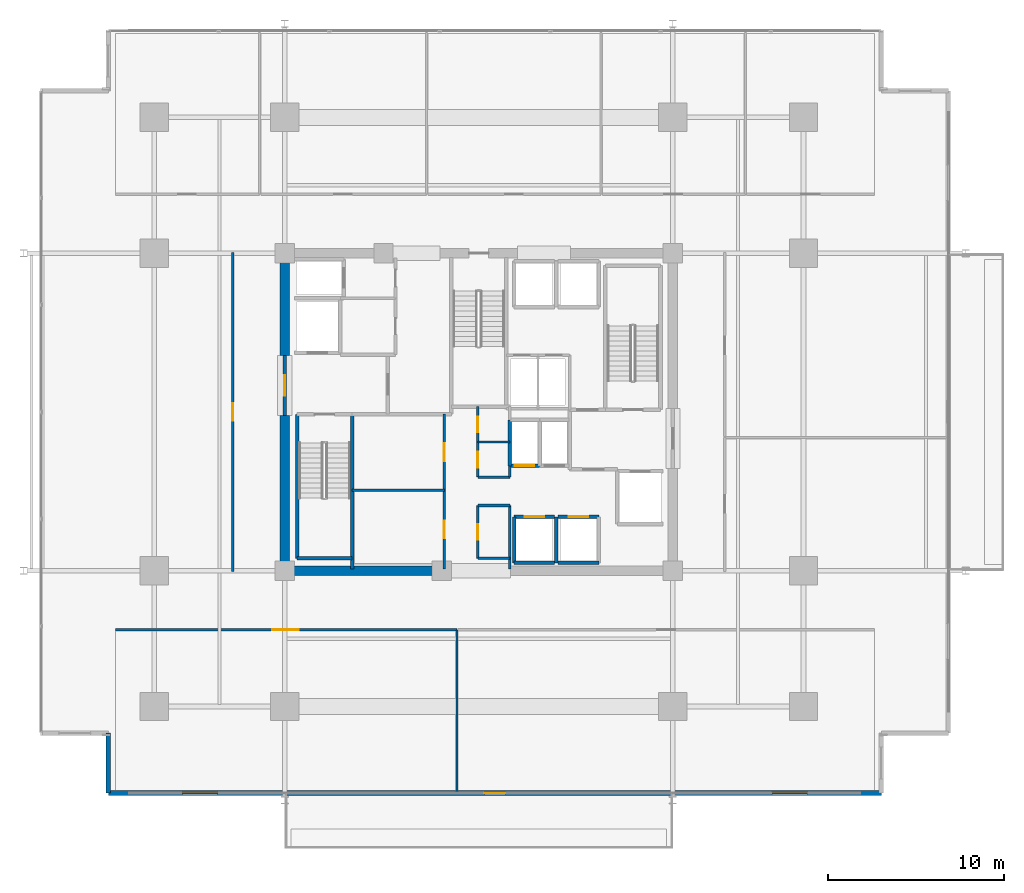
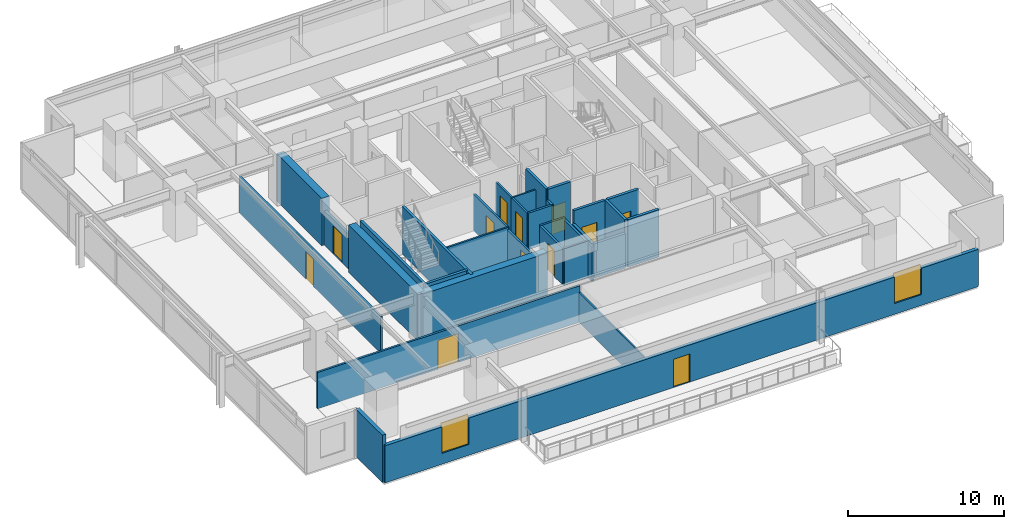
# One storey, part 14 of 22: 32 walls, 12 doors, 2 windows, 14 openings.
"""IFC4 building model written with IfcOpenShell, lengths in metres."""

import ifcopenshell
import ifcopenshell.guid

model = None  # the IFC model being written
_history = None  # IfcOwnerHistory: only IFC2X3 demands one
_inside = {}  # id of a spatial element -> (the spatial element, [elements in it])
_under = {}  # id of a project, library or spatial element -> (it, [spatial elements below it])
_declared = {}  # id of a project -> (the project, [libraries it declares])
_typed = {}  # id of a type object -> (the type object, [elements of that type])
_made_of = {}  # id of a material, layer set ... -> (it, [elements and type objects made of it])


def new_model(schema):
    """Start an empty IFC model of exactly this schema.

    Asked for "IFC4X3", IfcOpenShell would pick the latest addendum, in which some entities
    have other attributes; the version numbers below select the first issue.
    IFC2X3 requires an IfcOwnerHistory on every rooted entity: one is made here for all.
    """
    global model, _history
    if schema == "IFC4X3":
        model = ifcopenshell.file(schema_version=(4, 3, 0, 0))
    else:
        model = ifcopenshell.file(schema=schema)
    _inside.clear()
    _under.clear()
    _declared.clear()
    _typed.clear()
    _made_of.clear()
    _history = None
    if model.schema == "IFC2X3":
        org = make("IfcOrganization", Name="unknown")
        user = make(
            "IfcPersonAndOrganization",
            ThePerson=make("IfcPerson", FamilyName="unknown"),
            TheOrganization=org,
        )
        app = make(
            "IfcApplication",
            ApplicationDeveloper=org,
            Version="unknown",
            ApplicationFullName="unknown",
            ApplicationIdentifier="unknown",
        )
        _history = make(
            "IfcOwnerHistory",
            OwningUser=user,
            OwningApplication=app,
            ChangeAction="ADDED",
            CreationDate=0,
        )
    return model


def make(cls, **values):
    """One entity of the class cls with the attributes given. An attribute that is None is left unset."""
    return model.create_entity(
        cls, **{name: value for name, value in values.items() if value is not None}
    )


def rooted(cls, **values):
    """An entity with a GlobalId (a new one), such as an element, a storey or a relation."""
    return make(cls, GlobalId=ifcopenshell.guid.new(), OwnerHistory=_history, **values)


def si_unit(unit_type, name, prefix=None):
    """IfcSIUnit, for example si_unit("LENGTHUNIT", "METRE", prefix="MILLI")."""
    return make("IfcSIUnit", UnitType=unit_type, Prefix=prefix, Name=name)


def assignment(units):
    """IfcUnitAssignment: the units of a project."""
    return None if units is None else make("IfcUnitAssignment", Units=units)


def point(xyz):
    """IfcCartesianPoint."""
    return None if xyz is None else make("IfcCartesianPoint", Coordinates=xyz)


def direction(xyz):
    """IfcDirection."""
    return None if xyz is None else make("IfcDirection", DirectionRatios=xyz)


def frame(location, z_axis=None, x_axis=None):
    """IfcAxis2Placement3D, a coordinate frame: its origin and axes. An axis left out is left unset."""
    return make(
        "IfcAxis2Placement3D",
        Location=point(location),
        Axis=direction(z_axis),
        RefDirection=direction(x_axis),
    )


def frame_2d(location, x_axis=None):
    """IfcAxis2Placement2D, a coordinate frame in the plane: its origin and x axis."""
    return make(
        "IfcAxis2Placement2D", Location=point(location), RefDirection=direction(x_axis)
    )


def origin():
    """The frame at (0, 0, 0) with its axes left unset."""
    return frame((0.0, 0.0, 0.0))


def place(relative_to, where):
    """IfcLocalPlacement: puts the frame where relative to a parent placement (None: the world)."""
    return make(
        "IfcLocalPlacement", PlacementRelTo=relative_to, RelativePlacement=where
    )


def context(
    kind, dimensions, precision=None, world=None, true_north=None, identifier=None
):
    """IfcGeometricRepresentationContext, for example the 3D "Model" context."""
    return make(
        "IfcGeometricRepresentationContext",
        ContextIdentifier=identifier,
        ContextType=kind,
        CoordinateSpaceDimension=dimensions,
        Precision=precision,
        WorldCoordinateSystem=world,
        TrueNorth=true_north,
    )


def subcontext(parent, identifier, kind, view, scale=None):
    """IfcGeometricRepresentationSubContext, for example "Body" below "Model"."""
    return make(
        "IfcGeometricRepresentationSubContext",
        ContextIdentifier=identifier,
        ContextType=kind,
        ParentContext=parent,
        TargetScale=scale,
        TargetView=view,
    )


def project(units=None, contexts=None):
    """IfcProject with its units and contexts."""
    return rooted(
        "IfcProject",
        Name="project",
        RepresentationContexts=contexts,
        UnitsInContext=assignment(units),
    )


def spatial(cls, under=None, at=None, **own):
    """A site, building, storey or space (cls), placed at a placement, below another one or the project."""
    s = rooted(cls, ObjectPlacement=at, **own)
    if under is not None:
        _under.setdefault(under.id(), (under, []))[1].append(s)
    return s


def profile(cls, at=None, kind="AREA", **sizes):
    """A parametric profile (cls). Its sizes go by their IFC names, for example OverallWidth=200.0."""
    return make(cls, ProfileType=kind, Position=at, **sizes)


def rectangle(**sizes):
    """IfcRectangleProfileDef."""
    return profile("IfcRectangleProfileDef", **sizes)


def extrude(swept, where, along, depth):
    """IfcExtrudedAreaSolid: the profile swept, set in the frame where, extruded along a direction by depth."""
    return make(
        "IfcExtrudedAreaSolid",
        SweptArea=swept,
        Position=where,
        ExtrudedDirection=direction(along),
        Depth=depth,
    )


def shape(context_of_items, identifier, shape_type, items):
    """IfcShapeRepresentation: the items that make up one representation, for example the "Body"."""
    return make(
        "IfcShapeRepresentation",
        ContextOfItems=context_of_items,
        RepresentationIdentifier=identifier,
        RepresentationType=shape_type,
        Items=items,
    )


def material(Name=None, Category=None):
    """IfcMaterial."""
    return make("IfcMaterial", Name=Name, Category=Category)


def layer(
    of_material, thickness, ventilated=None, Name=None, Category=None, Priority=None
):
    """IfcMaterialLayer: one layer of a wall or slab, of a material (None: an air gap)."""
    return make(
        "IfcMaterialLayer",
        Material=of_material,
        LayerThickness=thickness,
        IsVentilated=ventilated,
        Name=Name,
        Category=Category,
        Priority=Priority,
    )


def layer_set(layers, Name=None):
    """IfcMaterialLayerSet."""
    return make("IfcMaterialLayerSet", MaterialLayers=layers, LayerSetName=Name)


def made_of(thing, what):
    """Note that an element or type object is made of a material, layer set ...; save() writes the relation."""
    if what is not None:
        _made_of.setdefault(what.id(), (what, []))[1].append(thing)
    return thing


def type_object(cls, material=None, **own):
    """A type object (cls), such as IfcWallType, which elements share."""
    return made_of(rooted(cls, **own), material)


def element(
    cls,
    number,
    at=None,
    inside=None,
    cuts=None,
    type_object=None,
    material=None,
    context=None,
    identifier="Body",
    shape_type=None,
    held_by="IfcProductDefinitionShape",
    body=None,
    shapes=None,
    **own,
):
    """One element of the class cls, such as IfcWall. Its Tag is "e" and its number.

    at: its placement. inside: the storey or other place that contains it. cuts: it is an
    opening in that element (IfcRelVoidsElement). A single representation is given by context,
    identifier, shape_type and body (its items); several are given by shapes. held_by: the class
    of the entity that holds the representations. save() writes the other relations.
    """
    e = rooted(cls, Tag="e%d" % number, ObjectPlacement=at, **own)
    if body is not None:
        shapes = [shape(context, identifier, shape_type, body)]
    if shapes is not None:
        e.Representation = make(held_by, Representations=shapes)
    if inside is not None:
        _inside.setdefault(inside.id(), (inside, []))[1].append(e)
    if cuts is not None:
        rooted(
            "IfcRelVoidsElement", RelatingBuildingElement=cuts, RelatedOpeningElement=e
        )
    if type_object is not None:
        _typed.setdefault(type_object.id(), (type_object, []))[1].append(e)
    return made_of(e, material)


def fill(opening, filler):
    """IfcRelFillsElement: the door or window that sits in an opening."""
    return rooted(
        "IfcRelFillsElement",
        RelatingOpeningElement=opening,
        RelatedBuildingElement=filler,
    )


def aggregate(whole, parts):
    """IfcRelAggregates: a whole, such as a stair, and the parts it consists of."""
    return rooted("IfcRelAggregates", RelatingObject=whole, RelatedObjects=parts)


def save(model, path):
    """Write the relations noted so far, then the file.

    IfcRelAggregates (storeys below a building ...), IfcRelContainedInSpatialStructure (elements
    in a storey), IfcRelDefinesByType, IfcRelAssociatesMaterial and IfcRelDeclares: one each for
    every whole, place, type object, material and project.
    """
    for whole, parts in _under.values():
        aggregate(whole, parts)
    for where, things in _inside.values():
        rooted(
            "IfcRelContainedInSpatialStructure",
            RelatedElements=things,
            RelatingStructure=where,
        )
    for kind, things in _typed.values():
        rooted("IfcRelDefinesByType", RelatedObjects=things, RelatingType=kind)
    for what, things in _made_of.values():
        rooted("IfcRelAssociatesMaterial", RelatedObjects=things, RelatingMaterial=what)
    for by, libraries in _declared.values():
        rooted("IfcRelDeclares", RelatingContext=by, RelatedDefinitions=libraries)
    model.write(path)


model = new_model("IFC4")

# Units and contexts
model_context = context("Model", 3, precision=1e-05, world=origin(), true_north=direction((0.0, 1.0)))
body_context = subcontext(model_context, "Body", "Model", "MODEL_VIEW")
ifc_project = project(units=[si_unit("LENGTHUNIT", "METRE"), si_unit("AREAUNIT", "SQUARE_METRE"), si_unit("VOLUMEUNIT", "CUBIC_METRE"), si_unit("PLANEANGLEUNIT", "RADIAN"), si_unit("MASSUNIT", "GRAM", prefix="KILO")], contexts=[model_context])

# Site, building, storey
site_placement = place(None, origin())
site = spatial("IfcSite", under=ifc_project, at=site_placement, CompositionType="ELEMENT")
building_placement = place(site_placement, origin())
building = spatial("IfcBuilding", under=site, at=building_placement, Name="Kovane Verandah Tower", CompositionType="ELEMENT")
storey_placement = place(building_placement, frame((0.0, 0.0, 180.39990234375)))
storey = spatial("IfcBuildingStorey", under=building, at=storey_placement, Name="L42", CompositionType="ELEMENT", Elevation=180.39990234375)

# Walls
ifc_material_1 = material(Name="Fire-Rated Gypsum Stud Partition", Category="gypsum")
ifc_layer_1 = layer(ifc_material_1, 0.14990234375)
ifc_layer_set_1 = layer_set([ifc_layer_1], Name="Fire-Rated Gypsum Stud Partition")
wall_type_1 = type_object("IfcWallType", Name="WL-COR-150", PredefinedType="PARTITIONING", material=ifc_layer_set_1)
for number, where, z_axis, x_axis, name in (
    (1, (39.949951171875, 19.199951171875, 0.0), (0.0, 0.0, 1.0), (1.0, 0.0, 0.0), "L42 Central Core Strip South Wall"),
    (2, (39.949951171875, 22.199951171875, 0.0), (0.0, 0.0, 1.0), (1.0, 0.0, 0.0), "L42 Core Cross-Passage South Wall"),
    (3, (39.949951171875, 23.800048828125, 0.0), (0.0, 0.0, 1.0), (1.0, 0.0, 0.0), "L42 Core Cross-Passage North Wall"),
):
    element("IfcWall", number, at=place(storey_placement, frame(where, z_axis=z_axis, x_axis=x_axis)), inside=storey, type_object=wall_type_1, Name=name, PredefinedType="PARTITIONING", context=body_context, shape_type="SweptSolid", body=[
        extrude(rectangle(XDim=1.81005859375, YDim=0.14990234375, at=frame_2d((0.905029296875, 0.0))), origin(), (0.0, 0.0, 1.0), 2.85009765625),
    ])
wall_1_placement = place(storey_placement, frame((41.760009765625, 18.60009765625, 0.0), z_axis=(0.0, 0.0, 1.0), x_axis=(0.0, 1.0, 0.0)))
element("IfcWall", 4, at=wall_1_placement, inside=storey, type_object=wall_type_1, Name="L42 Central Core Strip Lower East Wall", PredefinedType="PARTITIONING", context=body_context, shape_type="SweptSolid", body=[
    extrude(rectangle(XDim=3.599853515625, YDim=0.14990234375, at=frame_2d((1.7998046875, 0.0))), origin(), (0.0, 0.0, 1.0), 2.68017578125),
])
wall_2_placement = place(storey_placement, frame((41.760009765625, 23.800048828125, 0.0), z_axis=(0.0, 0.0, 1.0), x_axis=(0.0, 1.0, 0.0)))
element("IfcWall", 5, at=wall_2_placement, inside=storey, type_object=wall_type_1, Name="L42 Central Core Strip Middle East Wall", PredefinedType="PARTITIONING", context=body_context, shape_type="SweptSolid", body=[
    extrude(rectangle(XDim=0.64990234375, YDim=0.14990234375, at=frame_2d((0.324951171875, 0.0))), origin(), (0.0, 0.0, 1.0), 2.85009765625),
])

# Wall, opening, door
wall_3_placement = place(storey_placement, frame((39.949951171875, 19.199951171875, 0.0), z_axis=(0.0, 0.0, 1.0), x_axis=(0.0, 1.0, 0.0)))
wall_3 = element("IfcWall", 6, at=wall_3_placement, inside=storey, type_object=wall_type_1, Name="L42 Male Toilet Partition", PredefinedType="PARTITIONING", context=body_context, shape_type="SweptSolid", body=[
    extrude(rectangle(XDim=3.0, YDim=0.14990234375, at=frame_2d((1.5, 0.0))), origin(), (0.0, 0.0, 1.0), 2.85009765625),
])
opening_1_placement = place(wall_3_placement, frame((1.050048828125, 0.0, 0.0)))
opening_1 = element("IfcOpeningElement", 7, at=opening_1_placement, cuts=wall_3, Name="Opening DR-L42-028", PredefinedType="OPENING", context=body_context, shape_type="SweptSolid", body=[
    extrude(rectangle(XDim=0.89990234375, YDim=2.10009765625, at=frame_2d((0.449951171875, 1.050048828125))), frame((0.0, 0.074951171875, 0.0), z_axis=(0.0, -1.0, 0.0), x_axis=(1.0, 0.0, 0.0)), (0.0, 0.0, 1.0), 0.14990234375),
])
ifc_material_2 = material(Name="Moisture-Resistant Laminate Washroom Door", Category="wood")
door_type_1 = type_object("IfcDoorType", Name="DR-WC-900", OperationType="SINGLE_SWING_LEFT", PredefinedType="DOOR", material=ifc_material_2)
door_1_placement = place(opening_1_placement, origin())
door_1 = element("IfcDoor", 8, at=door_1_placement, inside=storey, type_object=door_type_1, Name="L42 Male Toilet Door", OperationType="SINGLE_SWING_RIGHT", OverallHeight=2.10009765625, OverallWidth=0.89990234375, PredefinedType="DOOR", context=body_context, shape_type="SweptSolid", body=[
    extrude(rectangle(XDim=0.89990234375, YDim=2.10009765625, at=frame_2d((0.449951171875, 1.050048828125))), frame((0.0, 0.02490234375, 0.0), z_axis=(0.0, -1.0, 0.0), x_axis=(1.0, 0.0, 0.0)), (0.0, 0.0, 1.0), 0.050048828125),
])
fill(opening_1, door_1)

wall_4_placement = place(storey_placement, frame((39.949951171875, 23.800048828125, 0.0), z_axis=(0.0, 0.0, 1.0), x_axis=(0.0, 1.0, 0.0)))
wall_4 = element("IfcWall", 9, at=wall_4_placement, inside=storey, type_object=wall_type_1, Name="L42 Female Toilet Partition", PredefinedType="PARTITIONING", context=body_context, shape_type="SweptSolid", body=[
    extrude(rectangle(XDim=2.0, YDim=0.14990234375, at=frame_2d((1.0, 0.0))), origin(), (0.0, 0.0, 1.0), 2.85009765625),
])
opening_2_placement = place(wall_4_placement, frame((0.550048828125, 0.0, 0.0)))
opening_2 = element("IfcOpeningElement", 10, at=opening_2_placement, cuts=wall_4, Name="Opening DR-L42-027", PredefinedType="OPENING", context=body_context, shape_type="SweptSolid", body=[
    extrude(rectangle(XDim=0.89990234375, YDim=2.10009765625, at=frame_2d((0.449951171875, 1.050048828125))), frame((0.0, 0.074951171875, 0.0), z_axis=(0.0, -1.0, 0.0), x_axis=(1.0, 0.0, 0.0)), (0.0, 0.0, 1.0), 0.14990234375),
])
door_2_placement = place(opening_2_placement, origin())
door_2 = element("IfcDoor", 11, at=door_2_placement, inside=storey, type_object=door_type_1, Name="L42 Female Toilet Door", OperationType="SINGLE_SWING_LEFT", OverallHeight=2.10009765625, OverallWidth=0.89990234375, PredefinedType="DOOR", context=body_context, shape_type="SweptSolid", body=[
    extrude(rectangle(XDim=0.89990234375, YDim=2.10009765625, at=frame_2d((0.449951171875, 1.050048828125))), frame((0.0, 0.02490234375, 0.0), z_axis=(0.0, -1.0, 0.0), x_axis=(1.0, 0.0, 0.0)), (0.0, 0.0, 1.0), 0.050048828125),
])
fill(opening_2, door_2)

wall_5_placement = place(storey_placement, frame((39.949951171875, 25.800048828125, 0.0), z_axis=(0.0, 0.0, 1.0), x_axis=(0.0, 1.0, 0.0)))
wall_5 = element("IfcWall", 12, at=wall_5_placement, inside=storey, type_object=wall_type_1, Name="L42 Electrical Riser Room Partition", PredefinedType="PARTITIONING", context=body_context, shape_type="SweptSolid", body=[
    extrude(rectangle(XDim=2.0, YDim=0.14990234375, at=frame_2d((1.0, 0.0))), origin(), (0.0, 0.0, 1.0), 2.85009765625),
])
opening_3_placement = place(wall_5_placement, frame((0.56005859375, 0.0, 0.0)))
opening_3 = element("IfcOpeningElement", 13, at=opening_3_placement, cuts=wall_5, Name="Opening DR-L42-025", PredefinedType="OPENING", context=body_context, shape_type="SweptSolid", body=[
    extrude(rectangle(XDim=0.8798828125, YDim=2.10009765625, at=frame_2d((0.43994140625, 1.050048828125))), frame((0.0, 0.074951171875, 0.0), z_axis=(0.0, -1.0, 0.0), x_axis=(1.0, 0.0, 0.0)), (0.0, 0.0, 1.0), 0.14990234375),
])
ifc_material_3 = material(Name="Fire-Rated Steel Riser Access Door", Category="steel")
door_type_2 = type_object("IfcDoorType", Name="DR-RISER-880", OperationType="SINGLE_SWING_LEFT", PredefinedType="DOOR", material=ifc_material_3)
door_3_placement = place(opening_3_placement, origin())
door_3 = element("IfcDoor", 14, at=door_3_placement, inside=storey, type_object=door_type_2, Name="L42 Electrical Riser Room Door", OperationType="SINGLE_SWING_RIGHT", OverallHeight=2.10009765625, OverallWidth=0.8798828125, PredefinedType="DOOR", context=body_context, shape_type="SweptSolid", body=[
    extrude(rectangle(XDim=0.8798828125, YDim=2.10009765625, at=frame_2d((0.43994140625, 1.050048828125))), frame((0.0, 0.02490234375, 0.0), z_axis=(0.0, -1.0, 0.0), x_axis=(1.0, 0.0, 0.0)), (0.0, 0.0, 1.0), 0.050048828125),
])
fill(opening_3, door_3)

wall_6_placement = place(storey_placement, frame((38.050048828125, 18.60009765625, 0.0), z_axis=(0.0, 0.0, 1.0), x_axis=(0.0, 1.0, 0.0)))
wall_6 = element("IfcWall", 15, at=wall_6_placement, inside=storey, type_object=wall_type_1, Name="L42 IT Server Room Partition", PredefinedType="PARTITIONING", context=body_context, shape_type="SweptSolid", body=[
    extrude(rectangle(XDim=4.4599609375, YDim=0.14990234375, at=frame_2d((2.22998046875, 0.0))), origin(), (0.0, 0.0, 1.0), 2.68017578125),
])
opening_4_placement = place(wall_6_placement, frame((1.72998046875, 0.0, 0.0)))
opening_4 = element("IfcOpeningElement", 16, at=opening_4_placement, cuts=wall_6, Name="Opening DR-L42-014", PredefinedType="OPENING", context=body_context, shape_type="SweptSolid", body=[
    extrude(rectangle(XDim=1.0, YDim=2.14990234375, at=frame_2d((0.5, 1.074951171875))), frame((0.0, 0.074951171875, 0.0), z_axis=(0.0, -1.0, 0.0), x_axis=(1.0, 0.0, 0.0)), (0.0, 0.0, 1.0), 0.14990234375),
])
ifc_material_4 = material(Name="FSC Spotted-Gum Timber Fire-Rated Office Door", Category="wood")
door_type_3 = type_object("IfcDoorType", Name="DR-OFF-1000", OperationType="SINGLE_SWING_LEFT", PredefinedType="DOOR", material=ifc_material_4)
door_4_placement = place(opening_4_placement, origin())
door_4 = element("IfcDoor", 17, at=door_4_placement, inside=storey, type_object=door_type_3, Name="L42 IT Server Room Door", OperationType="SINGLE_SWING_LEFT", OverallHeight=2.14990234375, OverallWidth=1.0, PredefinedType="DOOR", context=body_context, shape_type="SweptSolid", body=[
    extrude(rectangle(XDim=1.0, YDim=2.14990234375, at=frame_2d((0.5, 1.074951171875))), frame((0.0, 0.02490234375, 0.0), z_axis=(0.0, -1.0, 0.0), x_axis=(1.0, 0.0, 0.0)), (0.0, 0.0, 1.0), 0.050048828125),
])
fill(opening_4, door_4)

wall_7_placement = place(storey_placement, frame((38.050048828125, 23.06005859375, 0.0), z_axis=(0.0, 0.0, 1.0), x_axis=(0.0, 1.0, 0.0)))
wall_7 = element("IfcWall", 18, at=wall_7_placement, inside=storey, type_object=wall_type_1, Name="L42 Telecom MDF Room Partition", PredefinedType="PARTITIONING", context=body_context, shape_type="SweptSolid", body=[
    extrude(rectangle(XDim=4.31982421875, YDim=0.14990234375, at=frame_2d((2.159912109375, 0.0))), origin(), (0.0, 0.0, 1.0), 2.85009765625),
])
opening_5_placement = place(wall_7_placement, frame((1.659912109375, 0.0, 0.0)))
opening_5 = element("IfcOpeningElement", 19, at=opening_5_placement, cuts=wall_7, Name="Opening DR-L42-015", PredefinedType="OPENING", context=body_context, shape_type="SweptSolid", body=[
    extrude(rectangle(XDim=1.0, YDim=2.14990234375, at=frame_2d((0.5, 1.074951171875))), frame((0.0, 0.074951171875, 0.0), z_axis=(0.0, -1.0, 0.0), x_axis=(1.0, 0.0, 0.0)), (0.0, 0.0, 1.0), 0.14990234375),
])
door_5_placement = place(opening_5_placement, origin())
door_5 = element("IfcDoor", 20, at=door_5_placement, inside=storey, type_object=door_type_3, Name="L42 Telecom MDF Room Door", OperationType="SINGLE_SWING_RIGHT", OverallHeight=2.14990234375, OverallWidth=1.0, PredefinedType="DOOR", context=body_context, shape_type="SweptSolid", body=[
    extrude(rectangle(XDim=1.0, YDim=2.14990234375, at=frame_2d((0.5, 1.074951171875))), frame((0.0, 0.02490234375, 0.0), z_axis=(0.0, -1.0, 0.0), x_axis=(1.0, 0.0, 0.0)), (0.0, 0.0, 1.0), 0.050048828125),
])
fill(opening_5, door_5)

wall_8_placement = place(storey_placement, frame((19.39990234375, 15.14990234375, 0.0), z_axis=(0.0, 0.0, 1.0), x_axis=(1.0, 0.0, 0.0)))
wall_8 = element("IfcWall", 21, at=wall_8_placement, inside=storey, type_object=wall_type_1, Name="L42 Client Boardroom S1 Corridor Partition", PredefinedType="PARTITIONING", context=body_context, shape_type="SweptSolid", body=[
    extrude(rectangle(XDim=19.359130859375, YDim=0.14990234375, at=frame_2d((9.6796875, 0.0))), origin(), (0.0, 0.0, 1.0), 2.85009765625),
])
opening_6_placement = place(wall_8_placement, frame((8.89453125, 0.0, 0.0)))
opening_6 = element("IfcOpeningElement", 22, at=opening_6_placement, cuts=wall_8, Name="Opening DR-L42-023", PredefinedType="OPENING", context=body_context, shape_type="SweptSolid", body=[
    extrude(rectangle(XDim=1.5, YDim=2.25, at=frame_2d((0.75, 1.125))), frame((0.0, 0.074951171875, 0.0), z_axis=(0.0, -1.0, 0.0), x_axis=(1.0, 0.0, 0.0)), (0.0, 0.0, 1.0), 0.14990234375),
])
ifc_material_5 = material(Name="Glazed Timber Fire-Rated Double Door", Category="wood")
door_type_4 = type_object("IfcDoorType", Name="DR-CONF-1500", OperationType="DOUBLE_DOOR_SINGLE_SWING", PredefinedType="DOOR", material=ifc_material_5)
door_6_placement = place(opening_6_placement, origin())
door_6 = element("IfcDoor", 23, at=door_6_placement, inside=storey, type_object=door_type_4, Name="L42 Client Boardroom S1 Entrance Door", OperationType="DOUBLE_DOOR_SINGLE_SWING", OverallHeight=2.25, OverallWidth=1.5, PredefinedType="DOOR", context=body_context, shape_type="SweptSolid", body=[
    extrude(rectangle(XDim=1.5, YDim=2.25, at=frame_2d((0.75, 1.125))), frame((0.0, 0.02490234375, 0.0), z_axis=(0.0, -1.0, 0.0), x_axis=(1.0, 0.0, 0.0)), (0.0, 0.0, 1.0), 0.050048828125),
])
fill(opening_6, door_6)

wall_9_placement = place(storey_placement, frame((26.050048828125, 18.449951171875, 0.0), z_axis=(0.0, 0.0, 1.0), x_axis=(0.0, 1.0, 0.0)))
wall_9 = element("IfcWall", 24, at=wall_9_placement, inside=storey, type_object=wall_type_1, Name="L42 Focus Studio W1 Corridor Partition", PredefinedType="PARTITIONING", context=body_context, shape_type="SweptSolid", body=[
    extrude(rectangle(XDim=18.10009765625, YDim=0.14990234375, at=frame_2d((9.050048828125, 0.0))), origin(), (0.0, 0.0, 1.0), 2.85009765625),
])
opening_7_placement = place(wall_9_placement, frame((8.550048828125, 0.0, 0.0)))
opening_7 = element("IfcOpeningElement", 25, at=opening_7_placement, cuts=wall_9, Name="Opening DR-L42-029", PredefinedType="OPENING", context=body_context, shape_type="SweptSolid", body=[
    extrude(rectangle(XDim=1.0, YDim=2.14990234375, at=frame_2d((0.5, 1.074951171875))), frame((0.0, 0.074951171875, 0.0), z_axis=(0.0, -1.0, 0.0), x_axis=(1.0, 0.0, 0.0)), (0.0, 0.0, 1.0), 0.14990234375),
])
door_7_placement = place(opening_7_placement, origin())
door_7 = element("IfcDoor", 26, at=door_7_placement, inside=storey, type_object=door_type_3, Name="L42 Focus Studio W1 Entrance Door", OperationType="SINGLE_SWING_RIGHT", OverallHeight=2.14990234375, OverallWidth=1.0, PredefinedType="DOOR", context=body_context, shape_type="SweptSolid", body=[
    extrude(rectangle(XDim=1.0, YDim=2.14990234375, at=frame_2d((0.5, 1.074951171875))), frame((0.0, 0.02490234375, 0.0), z_axis=(0.0, -1.0, 0.0), x_axis=(1.0, 0.0, 0.0)), (0.0, 0.0, 1.0), 0.050048828125),
])
fill(opening_7, door_7)

# Walls
ifc_material_6 = material(Name="Concrete C60/75", Category="concrete")
ifc_layer_2 = layer(ifc_material_6, 0.550048828125)
ifc_layer_set_2 = layer_set([ifc_layer_2], Name="Concrete C60/75")
wall_type_2 = type_object("IfcWallType", Name="WL-CORE-550", PredefinedType="SHEAR", material=ifc_layer_set_2)
wall_10_placement = place(storey_placement, frame((29.0, 18.5, 0.0), z_axis=(0.0, 0.0, 1.0), x_axis=(1.0, 0.0, 0.0)))
element("IfcWall", 27, at=wall_10_placement, inside=storey, type_object=wall_type_2, Name="L42 Core Shear Wall CS-1", PredefinedType="SHEAR", context=body_context, shape_type="SweptSolid", body=[
    extrude(rectangle(XDim=9.199951171875, YDim=0.550048828125, at=frame_2d((4.60009765625, 0.0))), origin(), (0.0, 0.0, 1.0), 3.7001953125),
])
wall_11_placement = place(storey_placement, frame((29.0, 18.5, 0.0), z_axis=(0.0, 0.0, 1.0), x_axis=(0.0, 1.0, 0.0)))
element("IfcWall", 28, at=wall_11_placement, inside=storey, type_object=wall_type_2, Name="L42 Core Shear Wall CW-1", PredefinedType="SHEAR", context=body_context, shape_type="SweptSolid", body=[
    extrude(rectangle(XDim=8.800048828125, YDim=0.550048828125, at=frame_2d((4.39990234375, 0.0))), origin(), (0.0, 0.0, 1.0), 3.7001953125),
])
wall_12_placement = place(storey_placement, frame((29.0, 30.699951171875, 0.0), z_axis=(0.0, 0.0, 1.0), x_axis=(0.0, 1.0, 0.0)))
element("IfcWall", 29, at=wall_12_placement, inside=storey, type_object=wall_type_2, Name="L42 Core Shear Wall CW-2", PredefinedType="SHEAR", context=body_context, shape_type="SweptSolid", body=[
    extrude(rectangle(XDim=5.800048828125, YDim=0.550048828125, at=frame_2d((2.89990234375, 0.0))), origin(), (0.0, 0.0, 1.0), 3.7001953125),
])

# Wall, opening, door
ifc_material_7 = material(Name="Concrete C45/55 Fire Wall", Category="concrete")
ifc_layer_3 = layer(ifc_material_7, 0.199951171875)
ifc_layer_set_3 = layer_set([ifc_layer_3], Name="Concrete C45/55 Fire Wall")
wall_type_3 = type_object("IfcWallType", Name="WL-FFL-200", PredefinedType="PARTITIONING", material=ifc_layer_set_3)
wall_13_placement = place(storey_placement, frame((29.0, 27.300048828125, 0.0), z_axis=(0.0, 0.0, 1.0), x_axis=(0.0, 1.0, 0.0)))
wall_13 = element("IfcWall", 30, at=wall_13_placement, inside=storey, type_object=wall_type_3, Name="W-L42-FFLW-OUT", PredefinedType="PARTITIONING", context=body_context, shape_type="SweptSolid", body=[
    extrude(rectangle(XDim=3.39990234375, YDim=0.199951171875, at=frame_2d((1.699951171875, 0.0))), origin(), (0.0, 0.0, 1.0), 2.68017578125),
])
opening_8_placement = place(wall_13_placement, frame((1.125, 0.0, 0.0)))
opening_8 = element("IfcOpeningElement", 31, at=opening_8_placement, cuts=wall_13, Name="Opening DR-L42-007", PredefinedType="OPENING", context=body_context, shape_type="SweptSolid", body=[
    extrude(rectangle(XDim=1.14990234375, YDim=2.199951171875, at=frame_2d((0.574951171875, 1.10009765625))), frame((0.0, 0.10009765625, 0.0), z_axis=(0.0, -1.0, 0.0), x_axis=(1.0, 0.0, 0.0)), (0.0, 0.0, 1.0), 0.199951171875),
])
ifc_material_8 = material(Name="Smoke-Sealed Firefighting Lobby Door", Category="steel")
door_type_5 = type_object("IfcDoorType", Name="DR-FFL-1150", OperationType="SINGLE_SWING_LEFT", PredefinedType="DOOR", material=ifc_material_8)
door_8_placement = place(opening_8_placement, origin())
door_8 = element("IfcDoor", 32, at=door_8_placement, inside=storey, type_object=door_type_5, Name="L42 West Firefighting Lobby Corridor Door", OperationType="SINGLE_SWING_RIGHT", OverallHeight=2.199951171875, OverallWidth=1.14990234375, PredefinedType="DOOR", context=body_context, shape_type="SweptSolid", body=[
    extrude(rectangle(XDim=1.14990234375, YDim=2.199951171875, at=frame_2d((0.574951171875, 1.10009765625))), frame((0.0, 0.02490234375, 0.0), z_axis=(0.0, -1.0, 0.0), x_axis=(1.0, 0.0, 0.0)), (0.0, 0.0, 1.0), 0.050048828125),
])
fill(opening_8, door_8)

# Wall
ifc_material_9 = material(Name="Concrete C45/55 Lift Shaft Wall", Category="concrete")
ifc_layer_4 = layer(ifc_material_9, 0.199951171875)
ifc_layer_set_4 = layer_set([ifc_layer_4], Name="Concrete C45/55 Lift Shaft Wall")
wall_type_4 = type_object("IfcWallType", Name="WL-LIFT-200", PredefinedType="SOLIDWALL", material=ifc_layer_set_4)
wall_14_placement = place(storey_placement, frame((42.0, 18.949951171875, 0.0), z_axis=(0.0, 0.0, 1.0), x_axis=(1.0, 0.0, 0.0)))
element("IfcWall", 33, at=wall_14_placement, inside=storey, type_object=wall_type_4, Name="L42 Lift PL-M1 S Shaft Wall", PredefinedType="SOLIDWALL", context=body_context, shape_type="SweptSolid", body=[
    extrude(rectangle(XDim=2.300048828125, YDim=0.199951171875, at=frame_2d((1.14990234375, 0.0))), origin(), (0.0, 0.0, 1.0), 2.68017578125),
])

# Wall, opening, door
wall_15_placement = place(storey_placement, frame((44.300048828125, 21.550048828125, 0.0), z_axis=(0.0, 0.0, 1.0), x_axis=(-1.0, 0.0, 0.0)))
wall_15 = element("IfcWall", 34, at=wall_15_placement, inside=storey, type_object=wall_type_4, Name="L42 Lift PL-M1 N Shaft Wall", PredefinedType="SOLIDWALL", context=body_context, shape_type="SweptSolid", body=[
    extrude(rectangle(XDim=2.300048828125, YDim=0.199951171875, at=frame_2d((1.14990234375, 0.0))), origin(), (0.0, 0.0, 1.0), 3.7001953125),
])
opening_9_placement = place(wall_15_placement, frame((0.60009765625, 0.0, 0.0)))
opening_9 = element("IfcOpeningElement", 35, at=opening_9_placement, cuts=wall_15, Name="Opening LD-L42-004", PredefinedType="OPENING", context=body_context, shape_type="SweptSolid", body=[
    extrude(rectangle(XDim=1.10009765625, YDim=2.199951171875, at=frame_2d((0.550048828125, 1.10009765625))), frame((0.0, 0.10009765625, 0.0), z_axis=(0.0, -1.0, 0.0), x_axis=(1.0, 0.0, 0.0)), (0.0, 0.0, 1.0), 0.199951171875),
])
ifc_material_10 = material(Name="Brushed Stainless Steel Sliding Lift Landing Door", Category="steel")
door_type_6 = type_object("IfcDoorType", Name="DR-LIFT-1100", OperationType="SLIDING_TO_RIGHT", PredefinedType="DOOR", material=ifc_material_10)
door_9_placement = place(opening_9_placement, origin())
door_9 = element("IfcDoor", 36, at=door_9_placement, inside=storey, type_object=door_type_6, Name="L42 Lift PL-M1 Sliding Landing Door", OperationType="SLIDING_TO_RIGHT", OverallHeight=2.199951171875, OverallWidth=1.10009765625, PredefinedType="DOOR", context=body_context, shape_type="SweptSolid", body=[
    extrude(rectangle(XDim=1.10009765625, YDim=2.199951171875, at=frame_2d((0.550048828125, 1.10009765625))), frame((0.0, 0.02490234375, 0.0), z_axis=(0.0, -1.0, 0.0), x_axis=(1.0, 0.0, 0.0)), (0.0, 0.0, 1.0), 0.050048828125),
])
fill(opening_9, door_9)

# Walls
wall_16_placement = place(storey_placement, frame((42.0, 21.550048828125, 0.0), z_axis=(0.0, 0.0, 1.0), x_axis=(0.0, -1.0, 0.0)))
element("IfcWall", 37, at=wall_16_placement, inside=storey, type_object=wall_type_4, Name="L42 Lift PL-M1 W Shaft Wall", PredefinedType="SOLIDWALL", context=body_context, shape_type="SweptSolid", body=[
    extrude(rectangle(XDim=2.60009765625, YDim=0.199951171875, at=frame_2d((1.300048828125, 0.0))), origin(), (0.0, 0.0, 1.0), 2.68017578125),
])
wall_17_placement = place(storey_placement, frame((44.39990234375, 18.949951171875, 0.0), z_axis=(0.0, 0.0, 1.0), x_axis=(0.0, 1.0, 0.0)))
element("IfcWall", 38, at=wall_17_placement, inside=storey, type_object=wall_type_4, Name="L42 Lift PL-M1 and PL-M2 Shared Shaft Wall", PredefinedType="SOLIDWALL", context=body_context, shape_type="SweptSolid", body=[
    extrude(rectangle(XDim=2.60009765625, YDim=0.199951171875, at=frame_2d((1.300048828125, 0.0))), origin(), (0.0, 0.0, 1.0), 3.7001953125),
])
wall_18_placement = place(storey_placement, frame((44.5, 18.949951171875, 0.0), z_axis=(0.0, 0.0, 1.0), x_axis=(1.0, 0.0, 0.0)))
element("IfcWall", 39, at=wall_18_placement, inside=storey, type_object=wall_type_4, Name="L42 Lift PL-M2 S Shaft Wall", PredefinedType="SOLIDWALL", context=body_context, shape_type="SweptSolid", body=[
    extrude(rectangle(XDim=2.300048828125, YDim=0.199951171875, at=frame_2d((1.14990234375, 0.0))), origin(), (0.0, 0.0, 1.0), 3.7001953125),
])

# Wall, opening, door
wall_19_placement = place(storey_placement, frame((46.800048828125, 21.550048828125, 0.0), z_axis=(0.0, 0.0, 1.0), x_axis=(-1.0, 0.0, 0.0)))
wall_19 = element("IfcWall", 40, at=wall_19_placement, inside=storey, type_object=wall_type_4, Name="L42 Lift PL-M2 N Shaft Wall", PredefinedType="SOLIDWALL", context=body_context, shape_type="SweptSolid", body=[
    extrude(rectangle(XDim=2.300048828125, YDim=0.199951171875, at=frame_2d((1.14990234375, 0.0))), origin(), (0.0, 0.0, 1.0), 3.7001953125),
])
opening_10_placement = place(wall_19_placement, frame((0.60009765625, 0.0, 0.0)))
opening_10 = element("IfcOpeningElement", 41, at=opening_10_placement, cuts=wall_19, Name="Opening LD-L42-005", PredefinedType="OPENING", context=body_context, shape_type="SweptSolid", body=[
    extrude(rectangle(XDim=1.10009765625, YDim=2.199951171875, at=frame_2d((0.550048828125, 1.10009765625))), frame((0.0, 0.10009765625, 0.0), z_axis=(0.0, -1.0, 0.0), x_axis=(1.0, 0.0, 0.0)), (0.0, 0.0, 1.0), 0.199951171875),
])
door_10_placement = place(opening_10_placement, origin())
door_10 = element("IfcDoor", 42, at=door_10_placement, inside=storey, type_object=door_type_6, Name="L42 Lift PL-M2 Sliding Landing Door", OperationType="SLIDING_TO_RIGHT", OverallHeight=2.199951171875, OverallWidth=1.10009765625, PredefinedType="DOOR", context=body_context, shape_type="SweptSolid", body=[
    extrude(rectangle(XDim=1.10009765625, YDim=2.199951171875, at=frame_2d((0.550048828125, 1.10009765625))), frame((0.0, 0.02490234375, 0.0), z_axis=(0.0, -1.0, 0.0), x_axis=(1.0, 0.0, 0.0)), (0.0, 0.0, 1.0), 0.050048828125),
])
fill(opening_10, door_10)

wall_20_placement = place(storey_placement, frame((41.760009765625, 24.449951171875, 0.0), z_axis=(0.0, 0.0, 1.0), x_axis=(1.0, 0.0, 0.0)))
wall_20 = element("IfcWall", 43, at=wall_20_placement, inside=storey, type_object=wall_type_4, Name="L42 Lift PL-M3 S Shaft Wall", PredefinedType="SOLIDWALL", context=body_context, shape_type="SweptSolid", body=[
    extrude(rectangle(XDim=1.679931640625, YDim=0.199951171875, at=frame_2d((0.83984375, 0.0))), origin(), (0.0, 0.0, 1.0), 3.7001953125),
])
opening_11_placement = place(wall_20_placement, frame((0.2900390625, 0.0, 0.0)))
opening_11 = element("IfcOpeningElement", 44, at=opening_11_placement, cuts=wall_20, Name="Opening LD-L42-006", PredefinedType="OPENING", context=body_context, shape_type="SweptSolid", body=[
    extrude(rectangle(XDim=1.10009765625, YDim=2.199951171875, at=frame_2d((0.550048828125, 1.10009765625))), frame((0.0, 0.10009765625, 0.0), z_axis=(0.0, -1.0, 0.0), x_axis=(1.0, 0.0, 0.0)), (0.0, 0.0, 1.0), 0.199951171875),
])
door_11_placement = place(opening_11_placement, origin())
door_11 = element("IfcDoor", 45, at=door_11_placement, inside=storey, type_object=door_type_6, Name="L42 Lift PL-M3 Sliding Landing Door", OperationType="SLIDING_TO_RIGHT", OverallHeight=2.199951171875, OverallWidth=1.10009765625, PredefinedType="DOOR", context=body_context, shape_type="SweptSolid", body=[
    extrude(rectangle(XDim=1.10009765625, YDim=2.199951171875, at=frame_2d((0.550048828125, 1.10009765625))), frame((0.0, 0.02490234375, 0.0), z_axis=(0.0, -1.0, 0.0), x_axis=(1.0, 0.0, 0.0)), (0.0, 0.0, 1.0), 0.050048828125),
])
fill(opening_11, door_11)

# Walls
wall_21_placement = place(storey_placement, frame((41.760009765625, 27.050048828125, 0.0), z_axis=(0.0, 0.0, 1.0), x_axis=(0.0, -1.0, 0.0)))
element("IfcWall", 46, at=wall_21_placement, inside=storey, type_object=wall_type_4, Name="L42 Lift PL-M3 W Shaft Wall", PredefinedType="SOLIDWALL", context=body_context, shape_type="SweptSolid", body=[
    extrude(rectangle(XDim=2.60009765625, YDim=0.199951171875, at=frame_2d((1.300048828125, 0.0))), origin(), (0.0, 0.0, 1.0), 3.7001953125),
])
ifc_material_11 = material(Name="Acoustic Fire-Rated Gypsum Partition", Category="gypsum")
ifc_layer_5 = layer(ifc_material_11, 0.1201171875)
ifc_layer_set_5 = layer_set([ifc_layer_5], Name="Acoustic Fire-Rated Gypsum Partition")
wall_type_5 = type_object("IfcWallType", Name="WL-PART-120", PredefinedType="PARTITIONING", material=ifc_layer_set_5)
wall_22_placement = place(storey_placement, frame((39.949951171875, 25.800048828125, 0.0), z_axis=(0.0, 0.0, 1.0), x_axis=(1.0, 0.0, 0.0)))
element("IfcWall", 47, at=wall_22_placement, inside=storey, type_object=wall_type_5, Name="L42 Central Core Strip Upper Dividing Partition", PredefinedType="PARTITIONING", context=body_context, shape_type="SweptSolid", body=[
    extrude(rectangle(XDim=1.81005859375, YDim=0.1201171875, at=frame_2d((0.905029296875, 0.0))), origin(), (0.0, 0.0, 1.0), 2.85009765625),
])
wall_23_placement = place(storey_placement, frame((32.820068359375, 23.06005859375, 0.0), z_axis=(0.0, 0.0, 1.0), x_axis=(1.0, 0.0, 0.0)))
element("IfcWall", 48, at=wall_23_placement, inside=storey, type_object=wall_type_5, Name="L42 Core Support Dividing Partition", PredefinedType="PARTITIONING", context=body_context, shape_type="SweptSolid", body=[
    extrude(rectangle(XDim=5.22998046875, YDim=0.1201171875, at=frame_2d((2.614990234375, 0.0))), origin(), (0.0, 0.0, 1.0), 2.85009765625),
])
wall_24_placement = place(storey_placement, frame((38.759033203125, 6.0, 0.0), z_axis=(0.0, 0.0, 1.0), x_axis=(0.0, 1.0, 0.0)))
element("IfcWall", 49, at=wall_24_placement, inside=storey, type_object=wall_type_5, Name="L42 Client Boardroom S1 Dividing Partition", PredefinedType="PARTITIONING", context=body_context, shape_type="SweptSolid", body=[
    extrude(rectangle(XDim=9.14990234375, YDim=0.1201171875, at=frame_2d((4.574951171875, 0.0))), origin(), (0.0, 0.0, 1.0), 2.330078125),
])
ifc_material_12 = material(Name="Concrete C45/55", Category="concrete")
ifc_layer_6 = layer(ifc_material_12, 0.199951171875)
ifc_layer_set_6 = layer_set([ifc_layer_6], Name="Concrete C45/55")
wall_type_6 = type_object("IfcWallType", Name="WL-SHAFT-200", PredefinedType="SOLIDWALL", material=ifc_layer_set_6)
wall_25_placement = place(storey_placement, frame((29.699951171875, 19.199951171875, 0.0), z_axis=(0.0, 0.0, 1.0), x_axis=(0.0, 1.0, 0.0)))
element("IfcWall", 50, at=wall_25_placement, inside=storey, type_object=wall_type_6, Name="W-L42-ST01-W", PredefinedType="SOLIDWALL", context=body_context, shape_type="SweptSolid", body=[
    extrude(rectangle(XDim=8.150146484375, YDim=0.199951171875, at=frame_2d((4.0751953125, 0.0))), origin(), (0.0, 0.0, 1.0), 3.7001953125),
])
wall_26_placement = place(storey_placement, frame((29.699951171875, 19.199951171875, 0.0), z_axis=(0.0, 0.0, 1.0), x_axis=(1.0, 0.0, 0.0)))
element("IfcWall", 51, at=wall_26_placement, inside=storey, type_object=wall_type_6, Name="W-L42-ST01-S", PredefinedType="SOLIDWALL", context=body_context, shape_type="SweptSolid", body=[
    extrude(rectangle(XDim=3.1201171875, YDim=0.199951171875, at=frame_2d((1.56005859375, 0.0))), origin(), (0.0, 0.0, 1.0), 3.7001953125),
])
wall_27_placement = place(storey_placement, frame((32.820068359375, 18.60009765625, 0.0), z_axis=(0.0, 0.0, 1.0), x_axis=(0.0, 1.0, 0.0)))
element("IfcWall", 52, at=wall_27_placement, inside=storey, type_object=wall_type_6, Name="W-L42-ST01-E", PredefinedType="SOLIDWALL", context=body_context, shape_type="SweptSolid", body=[
    extrude(rectangle(XDim=8.77978515625, YDim=0.199951171875, at=frame_2d((4.389892578125, 0.0))), origin(), (0.0, 0.0, 1.0), 3.7001953125),
])

# Wall, openings, door, windows
ifc_material_13 = material(Name="Concrete C45/55 Insulated Spandrel Wall", Category="concrete")
ifc_layer_7 = layer(ifc_material_13, 0.260009765625)
ifc_layer_set_7 = layer_set([ifc_layer_7], Name="Concrete C45/55 Insulated Spandrel Wall")
wall_type_7 = type_object("IfcWallType", Name="WL-SPANDREL-260", PredefinedType="PARAPET", material=ifc_layer_set_7)
wall_28_placement = place(storey_placement, frame((19.0, 5.89990234375, 0.0), z_axis=(0.0, 0.0, 1.0), x_axis=(1.0, 0.0, 0.0)))
wall_28 = element("IfcWall", 53, at=wall_28_placement, inside=storey, type_object=wall_type_7, Name="L42 S Verandah Access Facade Wall", PredefinedType="PARAPET", context=body_context, shape_type="SweptSolid", body=[
    extrude(rectangle(XDim=43.820068359375, YDim=0.260009765625, at=frame_2d((21.91015625, 0.0))), origin(), (0.0, 0.0, 1.0), 2.910400390625),
])
opening_12_placement = place(wall_28_placement, frame((4.199951171875, 0.0, 0.85009765625)))
opening_12 = element("IfcOpeningElement", 54, at=opening_12_placement, cuts=wall_28, Name="Opening W-04", PredefinedType="OPENING", context=body_context, shape_type="SweptSolid", body=[
    extrude(rectangle(XDim=2.0, YDim=2.300048828125, at=frame_2d((1.0, 1.14990234375))), frame((0.0, 0.1298828125, 0.0), z_axis=(0.0, -1.0, 0.0), x_axis=(1.0, 0.0, 0.0)), (0.0, 0.0, 1.0), 0.260009765625),
])
opening_13_placement = place(wall_28_placement, frame((21.31005859375, 0.0, 0.0)))
opening_13 = element("IfcOpeningElement", 55, at=opening_13_placement, cuts=wall_28, Name="Opening DR-L42-002", PredefinedType="OPENING", context=body_context, shape_type="SweptSolid", body=[
    extrude(rectangle(XDim=1.199951171875, YDim=2.199951171875, at=frame_2d((0.60009765625, 1.10009765625))), frame((0.0, 0.1298828125, 0.0), z_axis=(0.0, -1.0, 0.0), x_axis=(1.0, 0.0, 0.0)), (0.0, 0.0, 1.0), 0.260009765625),
])
opening_14_placement = place(wall_28_placement, frame((37.6201171875, 0.0, 0.85009765625)))
opening_14 = element("IfcOpeningElement", 56, at=opening_14_placement, cuts=wall_28, Name="Opening W-04", PredefinedType="OPENING", context=body_context, shape_type="SweptSolid", body=[
    extrude(rectangle(XDim=2.0, YDim=2.300048828125, at=frame_2d((1.0, 1.14990234375))), frame((0.0, 0.1298828125, 0.0), z_axis=(0.0, -1.0, 0.0), x_axis=(1.0, 0.0, 0.0)), (0.0, 0.0, 1.0), 0.260009765625),
])
ifc_material_14 = material(Name="Cyclone-Rated Glazed Balcony Leaf Door", Category="aluminium")
door_type_7 = type_object("IfcDoorType", Name="DR-BAL-1200x2200", OperationType="SINGLE_SWING_LEFT", PredefinedType="DOOR", material=ifc_material_14)
door_12_placement = place(opening_13_placement, origin())
door_12 = element("IfcDoor", 57, at=door_12_placement, inside=storey, type_object=door_type_7, Name="L42 S Planted Balcony Access Door", OperationType="SINGLE_SWING_LEFT", OverallHeight=2.199951171875, OverallWidth=1.199951171875, PredefinedType="DOOR", context=body_context, shape_type="SweptSolid", body=[
    extrude(rectangle(XDim=1.199951171875, YDim=2.199951171875, at=frame_2d((0.60009765625, 1.10009765625))), frame((0.0, 0.02490234375, 0.0), z_axis=(0.0, -1.0, 0.0), x_axis=(1.0, 0.0, 0.0)), (0.0, 0.0, 1.0), 0.050048828125),
])
fill(opening_13, door_12)
ifc_material_15 = material(Name="Clear Low-E Laminated Double Glazing in Anodised Frame", Category="glass")
window_type = type_object("IfcWindowType", Name="WN-FIXED-2000x2300", PartitioningType="SINGLE_PANEL", PredefinedType="WINDOW", material=ifc_material_15)
window_1_placement = place(opening_12_placement, origin())
window_1 = element("IfcWindow", 58, at=window_1_placement, inside=storey, type_object=window_type, Name="L42 S Verandah View Window 1", OverallHeight=2.300048828125, OverallWidth=2.0, PartitioningType="SINGLE_PANEL", PredefinedType="WINDOW", context=body_context, shape_type="SweptSolid", body=[
    extrude(rectangle(XDim=2.0, YDim=2.300048828125, at=frame_2d((1.0, 1.14990234375))), frame((0.0, 0.030029296875, 0.0), z_axis=(0.0, -1.0, 0.0), x_axis=(1.0, 0.0, 0.0)), (0.0, 0.0, 1.0), 0.06005859375),
])
fill(opening_12, window_1)
window_2_placement = place(opening_14_placement, origin())
window_2 = element("IfcWindow", 59, at=window_2_placement, inside=storey, type_object=window_type, Name="L42 S Verandah View Window 2", OverallHeight=2.300048828125, OverallWidth=2.0, PartitioningType="SINGLE_PANEL", PredefinedType="WINDOW", context=body_context, shape_type="SweptSolid", body=[
    extrude(rectangle(XDim=2.0, YDim=2.300048828125, at=frame_2d((1.0, 1.14990234375))), frame((0.0, 0.030029296875, 0.0), z_axis=(0.0, -1.0, 0.0), x_axis=(1.0, 0.0, 0.0)), (0.0, 0.0, 1.0), 0.06005859375),
])
fill(opening_14, window_2)

# Wall
wall_29_placement = place(storey_placement, frame((19.0, 9.300048828125, 0.0), z_axis=(0.0, 0.0, 1.0), x_axis=(0.0, -1.0, 0.0)))
element("IfcWall", 60, at=wall_29_placement, inside=storey, type_object=wall_type_7, Name="L42 SW Notch Cheek Wall 2", PredefinedType="PARAPET", context=body_context, shape_type="SweptSolid", body=[
    extrude(rectangle(XDim=3.400146484375, YDim=0.260009765625, at=frame_2d((1.7001953125, 0.0))), origin(), (0.0, 0.0, 1.0), 3.7001953125),
])

save(model, "model.ifc")
